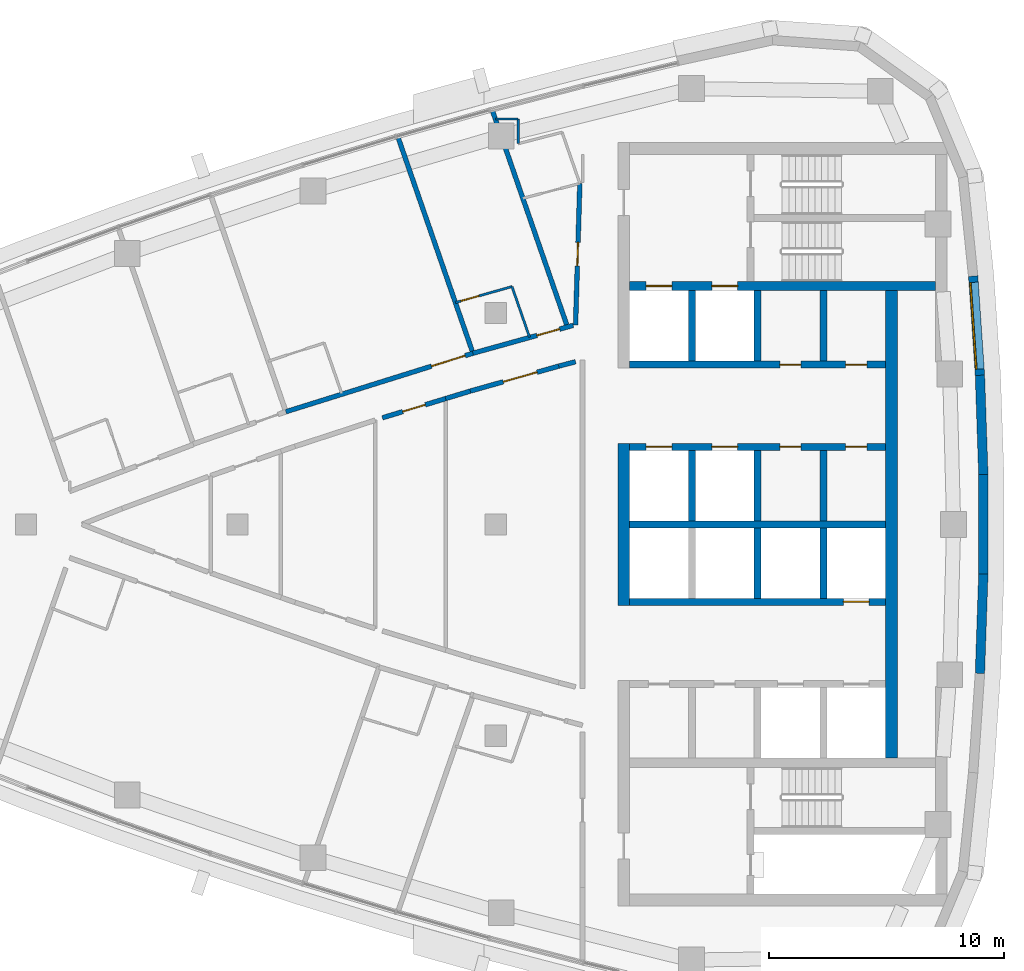
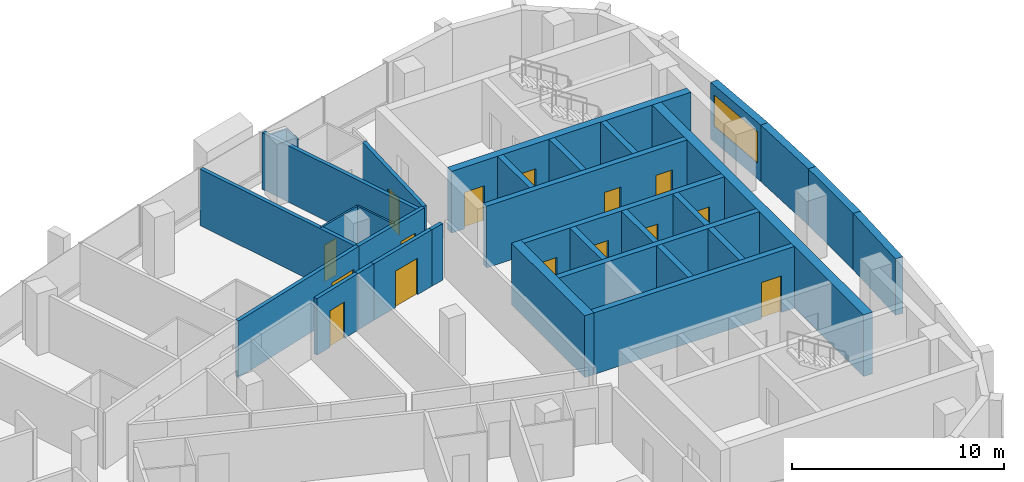
# One storey, part 9 of 14: 32 walls, 15 doors, 1 window, 16 openings.
"""IFC4 building model written with IfcOpenShell, lengths in metres."""

from ifc_helpers import new_model, si_unit, direction, frame, frame_2d, origin, place, context, subcontext, project, spatial, polyline, rectangle, outline, extrude, material, layer, layer_set, type_object, element, fill, save


model = new_model("IFC4")

# Units and contexts
model_context = context("Model", 3, precision=1e-05, world=origin(), true_north=direction((0.0, 1.0)))
body_context = subcontext(model_context, "Body", "Model", "MODEL_VIEW")
ifc_project = project(units=[si_unit("LENGTHUNIT", "METRE"), si_unit("AREAUNIT", "SQUARE_METRE"), si_unit("VOLUMEUNIT", "CUBIC_METRE"), si_unit("PLANEANGLEUNIT", "RADIAN"), si_unit("MASSUNIT", "GRAM", prefix="KILO")], contexts=[model_context])

# Site, building, storey
site_placement = place(None, origin())
site = spatial("IfcSite", under=ifc_project, at=site_placement, CompositionType="ELEMENT")
building_placement = place(site_placement, origin())
building = spatial("IfcBuilding", under=site, at=building_placement, Name="Ostrand Prow Hotel Tower", CompositionType="ELEMENT")
storey_placement = place(building_placement, frame((0.0, 0.0, 296.300048828125)))
storey = spatial("IfcBuildingStorey", under=building, at=storey_placement, Name="L75", CompositionType="ELEMENT", Elevation=296.300048828125)

# Wall
ifc_material_1 = material(Name="Concrete C50/60", Category="concrete")
ifc_layer_1 = layer(ifc_material_1, 0.300048828125)
ifc_layer_set_1 = layer_set([ifc_layer_1], Name="Concrete C50/60")
wall_type_1 = type_object("IfcWallType", Name="Core wall 300 C50/60", PredefinedType="SHEAR", material=ifc_layer_set_1)
wall_1_placement = place(storey_placement, frame((50.699951171875, 0.0, 0.0), z_axis=(0.0, 0.0, 1.0), x_axis=(1.0, 0.0, 0.0)))
element("IfcWall", 1, at=wall_1_placement, inside=storey, type_object=wall_type_1, Name="Core wall PW-C", PredefinedType="SHEAR", context=body_context, shape_type="SweptSolid", body=[
    extrude(rectangle(XDim=10.900146484375, YDim=0.300048828125, at=frame_2d((5.4501953125, 0.0))), origin(), (0.0, 0.0, 1.0), 3.550048828125),
])

# Wall, openings, doors
wall_2_placement = place(storey_placement, frame((50.699951171875, 3.300048828125, 0.0), z_axis=(0.0, 0.0, 1.0), x_axis=(1.0, 0.0, 0.0)))
wall_2 = element("IfcWall", 2, at=wall_2_placement, inside=storey, type_object=wall_type_1, Name="Core wall PW-L1-N", PredefinedType="SHEAR", context=body_context, shape_type="SweptSolid", body=[
    extrude(rectangle(XDim=10.900146484375, YDim=0.300048828125, at=frame_2d((5.4501953125, 0.0))), origin(), (0.0, 0.0, 1.0), 3.550048828125),
])
opening_1_placement = place(wall_2_placement, frame((0.699951171875, 0.0, 0.0)))
opening_1 = element("IfcOpeningElement", 3, at=opening_1_placement, cuts=wall_2, Name="Opening LD", PredefinedType="OPENING", context=body_context, shape_type="SweptSolid", body=[
    extrude(rectangle(XDim=1.10009765625, YDim=2.10009765625, at=frame_2d((0.550048828125, 1.050048828125))), frame((0.0, 0.159912109375, 0.0), z_axis=(0.0, -1.0, 0.0), x_axis=(1.0, 0.0, 0.0)), (0.0, 0.0, 1.0), 0.320068359375),
])
opening_2_placement = place(wall_2_placement, frame((3.5, 0.0, 0.0)))
opening_2 = element("IfcOpeningElement", 4, at=opening_2_placement, cuts=wall_2, Name="Opening LD", PredefinedType="OPENING", context=body_context, shape_type="SweptSolid", body=[
    extrude(rectangle(XDim=1.10009765625, YDim=2.10009765625, at=frame_2d((0.550048828125, 1.050048828125))), frame((0.0, 0.159912109375, 0.0), z_axis=(0.0, -1.0, 0.0), x_axis=(1.0, 0.0, 0.0)), (0.0, 0.0, 1.0), 0.320068359375),
])
opening_3_placement = place(wall_2_placement, frame((6.39990234375, 0.0, 0.0)))
opening_3 = element("IfcOpeningElement", 5, at=opening_3_placement, cuts=wall_2, Name="Opening FD2", PredefinedType="OPENING", context=body_context, shape_type="SweptSolid", body=[
    extrude(rectangle(XDim=0.89990234375, YDim=2.10009765625, at=frame_2d((0.449951171875, 1.050048828125))), frame((0.0, 0.159912109375, 0.0), z_axis=(0.0, -1.0, 0.0), x_axis=(1.0, 0.0, 0.0)), (0.0, 0.0, 1.0), 0.320068359375),
])
opening_4_placement = place(wall_2_placement, frame((9.199951171875, 0.0, 0.0)))
opening_4 = element("IfcOpeningElement", 6, at=opening_4_placement, cuts=wall_2, Name="Opening FD2", PredefinedType="OPENING", context=body_context, shape_type="SweptSolid", body=[
    extrude(rectangle(XDim=0.89990234375, YDim=2.10009765625, at=frame_2d((0.449951171875, 1.050048828125))), frame((0.0, 0.159912109375, 0.0), z_axis=(0.0, -1.0, 0.0), x_axis=(1.0, 0.0, 0.0)), (0.0, 0.0, 1.0), 0.320068359375),
])
ifc_material_2 = material(Name="Steel fire door", Category="steel")
door_type_1 = type_object("IfcDoorType", Name="Fire door 900 EI120", OperationType="SINGLE_SWING_LEFT", PredefinedType="DOOR", material=ifc_material_2)
door_1_placement = place(opening_3_placement, origin())
door_1 = element("IfcDoor", 7, at=door_1_placement, inside=storey, type_object=door_type_1, Name="DOOR", OperationType="SINGLE_SWING_LEFT", OverallHeight=2.10009765625, OverallWidth=0.89990234375, PredefinedType="DOOR", context=body_context, shape_type="SweptSolid", body=[
    extrude(rectangle(XDim=0.89990234375, YDim=2.10009765625, at=frame_2d((0.449951171875, 1.050048828125))), frame((0.0, 0.02490234375, 0.0), z_axis=(0.0, -1.0, 0.0), x_axis=(1.0, 0.0, 0.0)), (0.0, 0.0, 1.0), 0.050048828125),
])
fill(opening_3, door_1)
door_2_placement = place(opening_4_placement, origin())
door_2 = element("IfcDoor", 8, at=door_2_placement, inside=storey, type_object=door_type_1, Name="DOOR", OperationType="SINGLE_SWING_LEFT", OverallHeight=2.10009765625, OverallWidth=0.89990234375, PredefinedType="DOOR", context=body_context, shape_type="SweptSolid", body=[
    extrude(rectangle(XDim=0.89990234375, YDim=2.10009765625, at=frame_2d((0.449951171875, 1.050048828125))), frame((0.0, 0.02490234375, 0.0), z_axis=(0.0, -1.0, 0.0), x_axis=(1.0, 0.0, 0.0)), (0.0, 0.0, 1.0), 0.050048828125),
])
fill(opening_4, door_2)
ifc_material_3 = material(Name="Stainless steel door", Category="steel")
door_type_2 = type_object("IfcDoorType", Name="Lift landing door 1100", OperationType="DOUBLE_DOOR_SLIDING", PredefinedType="DOOR", material=ifc_material_3)
door_3_placement = place(opening_1_placement, origin())
door_3 = element("IfcDoor", 9, at=door_3_placement, inside=storey, type_object=door_type_2, Name="LIFT LANDING DOOR", OperationType="DOUBLE_DOOR_SLIDING", OverallHeight=2.10009765625, OverallWidth=1.10009765625, PredefinedType="DOOR", context=body_context, shape_type="SweptSolid", body=[
    extrude(rectangle(XDim=1.10009765625, YDim=2.10009765625, at=frame_2d((0.550048828125, 1.050048828125))), frame((0.0, 0.02490234375, 0.0), z_axis=(0.0, -1.0, 0.0), x_axis=(1.0, 0.0, 0.0)), (0.0, 0.0, 1.0), 0.050048828125),
])
fill(opening_1, door_3)
door_4_placement = place(opening_2_placement, origin())
door_4 = element("IfcDoor", 10, at=door_4_placement, inside=storey, type_object=door_type_2, Name="LIFT LANDING DOOR", OperationType="DOUBLE_DOOR_SLIDING", OverallHeight=2.10009765625, OverallWidth=1.10009765625, PredefinedType="DOOR", context=body_context, shape_type="SweptSolid", body=[
    extrude(rectangle(XDim=1.10009765625, YDim=2.10009765625, at=frame_2d((0.550048828125, 1.050048828125))), frame((0.0, 0.02490234375, 0.0), z_axis=(0.0, -1.0, 0.0), x_axis=(1.0, 0.0, 0.0)), (0.0, 0.0, 1.0), 0.050048828125),
])
fill(opening_2, door_4)

wall_3_placement = place(storey_placement, frame((50.699951171875, 6.800048828125, 0.0), z_axis=(0.0, 0.0, 1.0), x_axis=(1.0, 0.0, 0.0)))
wall_3 = element("IfcWall", 11, at=wall_3_placement, inside=storey, type_object=wall_type_1, Name="Core wall PW-L2-N", PredefinedType="SHEAR", context=body_context, shape_type="SweptSolid", body=[
    extrude(rectangle(XDim=10.900146484375, YDim=0.300048828125, at=frame_2d((5.4501953125, 0.0))), origin(), (0.0, 0.0, 1.0), 3.550048828125),
])
opening_5_placement = place(wall_3_placement, frame((6.39990234375, 0.0, 0.0)))
opening_5 = element("IfcOpeningElement", 12, at=opening_5_placement, cuts=wall_3, Name="Opening FD2", PredefinedType="OPENING", context=body_context, shape_type="SweptSolid", body=[
    extrude(rectangle(XDim=0.89990234375, YDim=2.10009765625, at=frame_2d((0.449951171875, 1.050048828125))), frame((0.0, 0.159912109375, 0.0), z_axis=(0.0, -1.0, 0.0), x_axis=(1.0, 0.0, 0.0)), (0.0, 0.0, 1.0), 0.320068359375),
])
opening_6_placement = place(wall_3_placement, frame((9.199951171875, 0.0, 0.0)))
opening_6 = element("IfcOpeningElement", 13, at=opening_6_placement, cuts=wall_3, Name="Opening FD2", PredefinedType="OPENING", context=body_context, shape_type="SweptSolid", body=[
    extrude(rectangle(XDim=0.89990234375, YDim=2.10009765625, at=frame_2d((0.449951171875, 1.050048828125))), frame((0.0, 0.159912109375, 0.0), z_axis=(0.0, -1.0, 0.0), x_axis=(1.0, 0.0, 0.0)), (0.0, 0.0, 1.0), 0.320068359375),
])
door_5_placement = place(opening_5_placement, origin())
door_5 = element("IfcDoor", 14, at=door_5_placement, inside=storey, type_object=door_type_1, Name="DOOR", OperationType="SINGLE_SWING_LEFT", OverallHeight=2.10009765625, OverallWidth=0.89990234375, PredefinedType="DOOR", context=body_context, shape_type="SweptSolid", body=[
    extrude(rectangle(XDim=0.89990234375, YDim=2.10009765625, at=frame_2d((0.449951171875, 1.050048828125))), frame((0.0, 0.02490234375, 0.0), z_axis=(0.0, -1.0, 0.0), x_axis=(1.0, 0.0, 0.0)), (0.0, 0.0, 1.0), 0.050048828125),
])
fill(opening_5, door_5)
door_6_placement = place(opening_6_placement, origin())
door_6 = element("IfcDoor", 15, at=door_6_placement, inside=storey, type_object=door_type_1, Name="DOOR", OperationType="SINGLE_SWING_LEFT", OverallHeight=2.10009765625, OverallWidth=0.89990234375, PredefinedType="DOOR", context=body_context, shape_type="SweptSolid", body=[
    extrude(rectangle(XDim=0.89990234375, YDim=2.10009765625, at=frame_2d((0.449951171875, 1.050048828125))), frame((0.0, 0.02490234375, 0.0), z_axis=(0.0, -1.0, 0.0), x_axis=(1.0, 0.0, 0.0)), (0.0, 0.0, 1.0), 0.050048828125),
])
fill(opening_6, door_6)

# Walls
for number, where, z_axis, x_axis, name in (
    (16, (53.35009765625, 0.14990234375, 0.0), (0.0, 0.0, 1.0), (0.0, 1.0, 0.0), "Core wall PW-R1-NB"),
    (17, (53.35009765625, 6.949951171875, 0.0), (0.0, 0.0, 1.0), (0.0, 1.0, 0.0), "Core wall PW-R1-NA"),
    (18, (56.14990234375, 0.14990234375, 0.0), (0.0, 0.0, 1.0), (0.0, 1.0, 0.0), "Core wall PW-R2-NB"),
    (19, (56.14990234375, 6.949951171875, 0.0), (0.0, 0.0, 1.0), (0.0, 1.0, 0.0), "Core wall PW-R2-NA"),
    (20, (58.949951171875, 0.14990234375, 0.0), (0.0, 0.0, 1.0), (0.0, 1.0, 0.0), "Core wall PW-R3-NB"),
    (21, (58.949951171875, 6.949951171875, 0.0), (0.0, 0.0, 1.0), (0.0, 1.0, 0.0), "Core wall PW-R3-NA"),
):
    element("IfcWall", number, at=place(storey_placement, frame(where, z_axis=z_axis, x_axis=x_axis)), inside=storey, type_object=wall_type_1, Name=name, PredefinedType="SHEAR", context=body_context, shape_type="SweptSolid", body=[
        extrude(rectangle(XDim=3.0, YDim=0.300048828125, at=frame_2d((1.5, 0.0))), origin(), (0.0, 0.0, 1.0), 3.550048828125),
    ])

# Wall, opening, door
wall_4_placement = place(storey_placement, frame((50.699951171875, -3.300048828125, 0.0), z_axis=(0.0, 0.0, 1.0), x_axis=(1.0, 0.0, 0.0)))
wall_4 = element("IfcWall", 22, at=wall_4_placement, inside=storey, type_object=wall_type_1, Name="Core wall PW-L1-S", PredefinedType="SHEAR", context=body_context, shape_type="SweptSolid", body=[
    extrude(rectangle(XDim=10.900146484375, YDim=0.300048828125, at=frame_2d((5.4501953125, 0.0))), origin(), (0.0, 0.0, 1.0), 3.550048828125),
])
opening_7_placement = place(wall_4_placement, frame((9.10009765625, 0.0, 0.0)))
opening_7 = element("IfcOpeningElement", 23, at=opening_7_placement, cuts=wall_4, Name="Opening LD", PredefinedType="OPENING", context=body_context, shape_type="SweptSolid", body=[
    extrude(rectangle(XDim=1.10009765625, YDim=2.10009765625, at=frame_2d((0.550048828125, 1.050048828125))), frame((0.0, 0.159912109375, 0.0), z_axis=(0.0, -1.0, 0.0), x_axis=(1.0, 0.0, 0.0)), (0.0, 0.0, 1.0), 0.320068359375),
])
door_7_placement = place(opening_7_placement, origin())
door_7 = element("IfcDoor", 24, at=door_7_placement, inside=storey, type_object=door_type_2, Name="LIFT LANDING DOOR", OperationType="DOUBLE_DOOR_SLIDING", OverallHeight=2.10009765625, OverallWidth=1.10009765625, PredefinedType="DOOR", context=body_context, shape_type="SweptSolid", body=[
    extrude(rectangle(XDim=1.10009765625, YDim=2.10009765625, at=frame_2d((0.550048828125, 1.050048828125))), frame((0.0, 0.02490234375, 0.0), z_axis=(0.0, -1.0, 0.0), x_axis=(1.0, 0.0, 0.0)), (0.0, 0.0, 1.0), 0.050048828125),
])
fill(opening_7, door_7)

# Walls
for number, where, z_axis, x_axis, name in (
    (25, (56.14990234375, -3.14990234375, 0.0), (0.0, 0.0, 1.0), (0.0, 1.0, 0.0), "Core wall PW-R2-SB"),
    (26, (58.949951171875, -3.14990234375, 0.0), (0.0, 0.0, 1.0), (0.0, 1.0, 0.0), "Core wall PW-R3-SB"),
):
    element("IfcWall", number, at=place(storey_placement, frame(where, z_axis=z_axis, x_axis=x_axis)), inside=storey, type_object=wall_type_1, Name=name, PredefinedType="SHEAR", context=body_context, shape_type="SweptSolid", body=[
        extrude(rectangle(XDim=3.0, YDim=0.300048828125, at=frame_2d((1.5, 0.0))), origin(), (0.0, 0.0, 1.0), 3.550048828125),
    ])

# Wall, openings, doors
ifc_material_4 = material(Name="Concrete C50/60", Category="concrete")
ifc_layer_2 = layer(ifc_material_4, 0.39990234375)
ifc_layer_set_2 = layer_set([ifc_layer_2], Name="Concrete C50/60")
wall_type_2 = type_object("IfcWallType", Name="Core wall 400 C50/60", PredefinedType="SHEAR", material=ifc_layer_set_2)
wall_5_placement = place(storey_placement, frame((50.699951171875, 10.14990234375, 0.0), z_axis=(0.0, 0.0, 1.0), x_axis=(1.0, 0.0, 0.0)))
wall_5 = element("IfcWall", 27, at=wall_5_placement, inside=storey, type_object=wall_type_2, Name="Core wall PW-BN", PredefinedType="SHEAR", context=body_context, shape_type="SweptSolid", body=[
    extrude(rectangle(XDim=13.02001953125, YDim=0.39990234375, at=frame_2d((6.510009765625, 0.0))), origin(), (0.0, 0.0, 1.0), 3.550048828125),
])
opening_8_placement = place(wall_5_placement, frame((0.699951171875, 0.0, 0.0)))
opening_8 = element("IfcOpeningElement", 28, at=opening_8_placement, cuts=wall_5, Name="Opening LD", PredefinedType="OPENING", context=body_context, shape_type="SweptSolid", body=[
    extrude(rectangle(XDim=1.10009765625, YDim=2.10009765625, at=frame_2d((0.550048828125, 1.050048828125))), frame((0.0, 0.2099609375, 0.0), z_axis=(0.0, -1.0, 0.0), x_axis=(1.0, 0.0, 0.0)), (0.0, 0.0, 1.0), 0.419921875),
])
opening_9_placement = place(wall_5_placement, frame((3.5, 0.0, 0.0)))
opening_9 = element("IfcOpeningElement", 29, at=opening_9_placement, cuts=wall_5, Name="Opening LD", PredefinedType="OPENING", context=body_context, shape_type="SweptSolid", body=[
    extrude(rectangle(XDim=1.10009765625, YDim=2.10009765625, at=frame_2d((0.550048828125, 1.050048828125))), frame((0.0, 0.2099609375, 0.0), z_axis=(0.0, -1.0, 0.0), x_axis=(1.0, 0.0, 0.0)), (0.0, 0.0, 1.0), 0.419921875),
])
door_8_placement = place(opening_8_placement, origin())
door_8 = element("IfcDoor", 30, at=door_8_placement, inside=storey, type_object=door_type_2, Name="LIFT LANDING DOOR", OperationType="DOUBLE_DOOR_SLIDING", OverallHeight=2.10009765625, OverallWidth=1.10009765625, PredefinedType="DOOR", context=body_context, shape_type="SweptSolid", body=[
    extrude(rectangle(XDim=1.10009765625, YDim=2.10009765625, at=frame_2d((0.550048828125, 1.050048828125))), frame((0.0, 0.02490234375, 0.0), z_axis=(0.0, -1.0, 0.0), x_axis=(1.0, 0.0, 0.0)), (0.0, 0.0, 1.0), 0.050048828125),
])
fill(opening_8, door_8)
door_9_placement = place(opening_9_placement, origin())
door_9 = element("IfcDoor", 31, at=door_9_placement, inside=storey, type_object=door_type_2, Name="LIFT LANDING DOOR", OperationType="DOUBLE_DOOR_SLIDING", OverallHeight=2.10009765625, OverallWidth=1.10009765625, PredefinedType="DOOR", context=body_context, shape_type="SweptSolid", body=[
    extrude(rectangle(XDim=1.10009765625, YDim=2.10009765625, at=frame_2d((0.550048828125, 1.050048828125))), frame((0.0, 0.02490234375, 0.0), z_axis=(0.0, -1.0, 0.0), x_axis=(1.0, 0.0, 0.0)), (0.0, 0.0, 1.0), 0.050048828125),
])
fill(opening_9, door_9)

# Walls
ifc_material_5 = material(Name="Concrete C50/60", Category="concrete")
ifc_layer_3 = layer(ifc_material_5, 0.5)
ifc_layer_set_3 = layer_set([ifc_layer_3], Name="Concrete C50/60")
wall_type_3 = type_object("IfcWallType", Name="Core wall 500 C50/60", PredefinedType="SHEAR", material=ifc_layer_set_3)
wall_6_placement = place(storey_placement, frame((50.449951171875, -3.449951171875, 0.0), z_axis=(0.0, 0.0, 1.0), x_axis=(0.0, 1.0, 0.0)))
element("IfcWall", 32, at=wall_6_placement, inside=storey, type_object=wall_type_3, Name="Core wall CW-W-C", PredefinedType="SHEAR", context=body_context, shape_type="SweptSolid", body=[
    extrude(rectangle(XDim=6.89990234375, YDim=0.5, at=frame_2d((3.449951171875, 0.0))), origin(), (0.0, 0.0, 1.0), 3.550048828125),
])
wall_7_placement = place(storey_placement, frame((61.85009765625, -9.949951171875, 0.0), z_axis=(0.0, 0.0, 1.0), x_axis=(0.0, 1.0, 0.0)))
element("IfcWall", 33, at=wall_7_placement, inside=storey, type_object=wall_type_3, Name="Core wall CW-E-C", PredefinedType="SHEAR", context=body_context, shape_type="SweptSolid", body=[
    extrude(rectangle(XDim=19.89990234375, YDim=0.5, at=frame_2d((9.949951171875, 0.0))), origin(), (0.0, 0.0, 1.0), 3.550048828125),
])

# Wall, opening, door
ifc_material_6 = material(Name="Plasterboard partition")
ifc_layer_4 = layer(ifc_material_6, 0.10009765625)
ifc_layer_set_4 = layer_set([ifc_layer_4], Name="Plasterboard partition")
wall_type_4 = type_object("IfcWallType", Name="Partition 100 bathroom wall", PredefinedType="PARTITIONING", material=ifc_layer_set_4)
wall_8_placement = place(storey_placement, frame((43.28271484375, 9.443603515625, 0.0), z_axis=(0.0, 0.0, 1.0), x_axis=(0.962409173596, 0.271603723424, 0.0)))
wall_8 = element("IfcWall", 34, at=wall_8_placement, inside=storey, type_object=wall_type_4, Name="BATHROOM WALL", PredefinedType="PARTITIONING", context=body_context, shape_type="SweptSolid", body=[
    extrude(rectangle(XDim=2.50439453125, YDim=0.10009765625, at=frame_2d((1.252197265625, 0.0))), origin(), (0.0, 0.0, 1.0), 3.25),
])
opening_10_placement = place(wall_8_placement, frame((0.25, 0.0, 0.0)))
opening_10 = element("IfcOpeningElement", 35, at=opening_10_placement, cuts=wall_8, Name="Opening D2", PredefinedType="OPENING", context=body_context, shape_type="SweptSolid", body=[
    extrude(rectangle(XDim=0.800048828125, YDim=2.10009765625, at=frame_2d((0.39990234375, 1.050048828125))), frame((0.0, 0.06005859375, 0.0), z_axis=(0.0, -1.0, 0.0), x_axis=(1.0, 0.0, 0.0)), (0.0, 0.0, 1.0), 0.1201171875),
])
ifc_material_7 = material(Name="Timber door leaf", Category="wood")
door_type_3 = type_object("IfcDoorType", Name="Bathroom door 800", OperationType="SINGLE_SWING_LEFT", PredefinedType="DOOR", material=ifc_material_7)
door_10_placement = place(opening_10_placement, origin())
door_10 = element("IfcDoor", 36, at=door_10_placement, inside=storey, type_object=door_type_3, Name="DOOR", OperationType="SINGLE_SWING_LEFT", OverallHeight=2.10009765625, OverallWidth=0.800048828125, PredefinedType="DOOR", context=body_context, shape_type="SweptSolid", body=[
    extrude(rectangle(XDim=0.800048828125, YDim=2.10009765625, at=frame_2d((0.39990234375, 1.050048828125))), frame((0.0, 0.02490234375, 0.0), z_axis=(0.0, -1.0, 0.0), x_axis=(1.0, 0.0, 0.0)), (0.0, 0.0, 1.0), 0.050048828125),
])
fill(opening_10, door_10)

# Walls
wall_9_placement = place(storey_placement, frame((45.69287109375, 10.123779296875, 0.0), z_axis=(0.0, 0.0, 1.0), x_axis=(0.327764902685, -0.944759317799, 0.0)))
element("IfcWall", 37, at=wall_9_placement, inside=storey, type_object=wall_type_4, Name="BATHROOM WALL", PredefinedType="PARTITIONING", context=body_context, shape_type="SweptSolid", body=[
    extrude(rectangle(XDim=2.28076171875, YDim=0.10009765625, at=frame_2d((1.140380859375, 0.0))), origin(), (0.0, 0.0, 1.0), 3.25),
])
wall_10_placement = place(storey_placement, frame((44.98486328125, 17.258544921875, 0.0), z_axis=(0.0, 0.0, 1.0), x_axis=(1.0, 0.0, 0.0)))
element("IfcWall", 38, at=wall_10_placement, inside=storey, type_object=wall_type_4, Name="BATHROOM WALL", PredefinedType="PARTITIONING", context=body_context, shape_type="SweptSolid", body=[
    extrude(rectangle(XDim=0.9697265625, YDim=0.10009765625, at=frame_2d((0.48486328125, 0.0))), origin(), (0.0, 0.0, 1.0), 3.25),
])
wall_11_placement = place(storey_placement, frame((45.95458984375, 17.258544921875, 0.0), z_axis=(0.0, 0.0, 1.0), x_axis=(0.0, -1.0, 0.0)))
element("IfcWall", 39, at=wall_11_placement, inside=storey, type_object=wall_type_4, Name="BATHROOM WALL", PredefinedType="PARTITIONING", context=body_context, shape_type="SweptSolid", body=[
    extrude(rectangle(XDim=1.051025390625, YDim=0.10009765625, at=frame_2d((0.525390625, 0.0))), origin(), (0.0, 0.0, 1.0), 3.25),
])

# Wall, opening, door
ifc_material_8 = material(Name="Plasterboard partition")
ifc_layer_5 = layer(ifc_material_8, 0.199951171875)
ifc_layer_set_5 = layer_set([ifc_layer_5], Name="Plasterboard partition")
wall_type_5 = type_object("IfcWallType", Name="Partition 200 corridor wall", PredefinedType="PARTITIONING", material=ifc_layer_set_5)
wall_12_placement = place(storey_placement, frame((44.03125, 7.285888671875, 0.0), z_axis=(0.0, 0.0, 1.0), x_axis=(-0.95441177989, -0.29849313963, 0.0)))
wall_12 = element("IfcWall", 40, at=wall_12_placement, inside=storey, type_object=wall_type_5, Name="CORRIDOR WALL", PredefinedType="PARTITIONING", context=body_context, shape_type="SweptSolid", body=[
    extrude(rectangle(XDim=8.34765625, YDim=0.199951171875, at=frame_2d((4.173828125, 0.0))), origin(), (0.0, 0.0, 1.0), 3.25),
])
opening_11_placement = place(wall_12_placement, frame((0.35009765625, 0.0, 0.0)))
opening_11 = element("IfcOpeningElement", 41, at=opening_11_placement, cuts=wall_12, Name="Opening D15", PredefinedType="OPENING", context=body_context, shape_type="SweptSolid", body=[
    extrude(rectangle(XDim=1.5, YDim=2.10009765625, at=frame_2d((0.75, 1.050048828125))), frame((0.0, 0.10986328125, 0.0), z_axis=(0.0, -1.0, 0.0), x_axis=(1.0, 0.0, 0.0)), (0.0, 0.0, 1.0), 0.219970703125),
])
ifc_material_9 = material(Name="Timber door leaf", Category="wood")
door_type_4 = type_object("IfcDoorType", Name="Double door 1500", OperationType="DOUBLE_DOOR_SINGLE_SWING", PredefinedType="DOOR", material=ifc_material_9)
door_11_placement = place(opening_11_placement, origin())
door_11 = element("IfcDoor", 42, at=door_11_placement, inside=storey, type_object=door_type_4, Name="DOOR", OperationType="DOUBLE_DOOR_SINGLE_SWING", OverallHeight=2.10009765625, OverallWidth=1.5, PredefinedType="DOOR", context=body_context, shape_type="SweptSolid", body=[
    extrude(rectangle(XDim=1.5, YDim=2.10009765625, at=frame_2d((0.75, 1.050048828125))), frame((0.0, 0.02490234375, 0.0), z_axis=(0.0, -1.0, 0.0), x_axis=(1.0, 0.0, 0.0)), (0.0, 0.0, 1.0), 0.050048828125),
])
fill(opening_11, door_11)

wall_13_placement = place(storey_placement, frame((48.29931640625, 8.472900390625, 0.0), z_axis=(0.0, 0.0, 1.0), x_axis=(-0.96343417102, -0.267945140115, 0.0)))
wall_13 = element("IfcWall", 43, at=wall_13_placement, inside=storey, type_object=wall_type_5, Name="CORRIDOR WALL", PredefinedType="PARTITIONING", context=body_context, shape_type="SweptSolid", body=[
    extrude(rectangle(XDim=4.43017578125, YDim=0.199951171875, at=frame_2d((2.215087890625, 0.0))), origin(), (0.0, 0.0, 1.0), 3.25),
])
opening_12_placement = place(wall_13_placement, frame((0.60302734375, 0.0, 0.0)))
opening_12 = element("IfcOpeningElement", 44, at=opening_12_placement, cuts=wall_13, Name="Opening D1", PredefinedType="OPENING", context=body_context, shape_type="SweptSolid", body=[
    extrude(rectangle(XDim=1.0, YDim=2.10009765625, at=frame_2d((0.5, 1.050048828125))), frame((0.0, 0.10986328125, 0.0), z_axis=(0.0, -1.0, 0.0), x_axis=(1.0, 0.0, 0.0)), (0.0, 0.0, 1.0), 0.219970703125),
])
ifc_material_10 = material(Name="Timber door leaf", Category="wood")
door_type_5 = type_object("IfcDoorType", Name="Guest room door 1000", OperationType="SINGLE_SWING_LEFT", PredefinedType="DOOR", material=ifc_material_10)
door_12_placement = place(opening_12_placement, origin())
door_12 = element("IfcDoor", 45, at=door_12_placement, inside=storey, type_object=door_type_5, Name="DOOR", OperationType="SINGLE_SWING_LEFT", OverallHeight=2.10009765625, OverallWidth=1.0, PredefinedType="DOOR", context=body_context, shape_type="SweptSolid", body=[
    extrude(rectangle(XDim=1.0, YDim=2.10009765625, at=frame_2d((0.5, 1.050048828125))), frame((0.0, 0.02490234375, 0.0), z_axis=(0.0, -1.0, 0.0), x_axis=(1.0, 0.0, 0.0)), (0.0, 0.0, 1.0), 0.050048828125),
])
fill(opening_12, door_12)

wall_14_placement = place(storey_placement, frame((40.1748046875, 4.5361328125, 0.0), z_axis=(0.0, 0.0, 1.0), x_axis=(0.956742178936, 0.290937111838, 0.0)))
wall_14 = element("IfcWall", 46, at=wall_14_placement, inside=storey, type_object=wall_type_5, Name="CORRIDOR WALL", PredefinedType="PARTITIONING", context=body_context, shape_type="SweptSolid", body=[
    extrude(rectangle(XDim=2.812744140625, YDim=0.199951171875, at=frame_2d((1.40625, 0.0))), origin(), (0.0, 0.0, 1.0), 3.25),
])
opening_13_placement = place(wall_14_placement, frame((0.906494140625, 0.0, 0.0)))
opening_13 = element("IfcOpeningElement", 47, at=opening_13_placement, cuts=wall_14, Name="Opening D1R", PredefinedType="OPENING", context=body_context, shape_type="SweptSolid", body=[
    extrude(rectangle(XDim=1.0, YDim=2.10009765625, at=frame_2d((0.5, 1.050048828125))), frame((0.0, 0.10986328125, 0.0), z_axis=(0.0, -1.0, 0.0), x_axis=(1.0, 0.0, 0.0)), (0.0, 0.0, 1.0), 0.219970703125),
])
ifc_material_11 = material(Name="Timber door leaf", Category="wood")
door_type_6 = type_object("IfcDoorType", Name="Guest room door 1000 right", OperationType="SINGLE_SWING_RIGHT", PredefinedType="DOOR", material=ifc_material_11)
door_13_placement = place(opening_13_placement, origin())
door_13 = element("IfcDoor", 48, at=door_13_placement, inside=storey, type_object=door_type_6, Name="DOOR", OperationType="SINGLE_SWING_RIGHT", OverallHeight=2.10009765625, OverallWidth=1.0, PredefinedType="DOOR", context=body_context, shape_type="SweptSolid", body=[
    extrude(rectangle(XDim=1.0, YDim=2.10009765625, at=frame_2d((0.5, 1.050048828125))), frame((0.0, 0.02490234375, 0.0), z_axis=(0.0, -1.0, 0.0), x_axis=(1.0, 0.0, 0.0)), (0.0, 0.0, 1.0), 0.050048828125),
])
fill(opening_13, door_13)

wall_15_placement = place(storey_placement, frame((43.91845703125, 5.6748046875, 0.0), z_axis=(0.0, 0.0, 1.0), x_axis=(0.962411212211, 0.271596499628, 0.0)))
wall_15 = element("IfcWall", 49, at=wall_15_placement, inside=storey, type_object=wall_type_5, Name="CORRIDOR WALL", PredefinedType="PARTITIONING", context=body_context, shape_type="SweptSolid", body=[
    extrude(rectangle(XDim=3.912841796875, YDim=0.199951171875, at=frame_2d((1.95654296875, 0.0))), origin(), (0.0, 0.0, 1.0), 3.25),
])
opening_14_placement = place(wall_15_placement, frame((1.45654296875, 0.0, 0.0)))
opening_14 = element("IfcOpeningElement", 50, at=opening_14_placement, cuts=wall_15, Name="Opening D15", PredefinedType="OPENING", context=body_context, shape_type="SweptSolid", body=[
    extrude(rectangle(XDim=1.5, YDim=2.10009765625, at=frame_2d((0.75, 1.050048828125))), frame((0.0, 0.10986328125, 0.0), z_axis=(0.0, -1.0, 0.0), x_axis=(1.0, 0.0, 0.0)), (0.0, 0.0, 1.0), 0.219970703125),
])
door_14_placement = place(opening_14_placement, origin())
door_14 = element("IfcDoor", 51, at=door_14_placement, inside=storey, type_object=door_type_4, Name="DOOR", OperationType="DOUBLE_DOOR_SINGLE_SWING", OverallHeight=2.10009765625, OverallWidth=1.5, PredefinedType="DOOR", context=body_context, shape_type="SweptSolid", body=[
    extrude(rectangle(XDim=1.5, YDim=2.10009765625, at=frame_2d((0.75, 1.050048828125))), frame((0.0, 0.02490234375, 0.0), z_axis=(0.0, -1.0, 0.0), x_axis=(1.0, 0.0, 0.0)), (0.0, 0.0, 1.0), 0.050048828125),
])
fill(opening_14, door_14)

# Walls
wall_16_placement = place(storey_placement, frame((42.865966796875, 5.3544921875, 0.0), z_axis=(0.0, 0.0, 1.0), x_axis=(0.956676567943, 0.291152785233, 0.0)))
element("IfcWall", 52, at=wall_16_placement, inside=storey, type_object=wall_type_5, Name="CORRIDOR WALL", PredefinedType="PARTITIONING", context=body_context, shape_type="SweptSolid", body=[
    extrude(rectangle(XDim=1.10009765625, YDim=0.199951171875, at=frame_2d((0.550048828125, 0.0))), origin(), (0.0, 0.0, 1.0), 3.25),
])
wall_17_placement = place(storey_placement, frame((47.684326171875, 6.737548828125, 0.0), z_axis=(0.0, 0.0, 1.0), x_axis=(0.967585713416, 0.252542842294, 0.0)))
element("IfcWall", 53, at=wall_17_placement, inside=storey, type_object=wall_type_5, Name="CORRIDOR WALL", PredefinedType="PARTITIONING", context=body_context, shape_type="SweptSolid", body=[
    extrude(rectangle(XDim=0.739501953125, YDim=0.199951171875, at=frame_2d((0.36962890625, 0.0))), origin(), (0.0, 0.0, 1.0), 3.25),
])

# Wall, opening, door
wall_18_placement = place(storey_placement, frame((48.58251953125, 14.515625, 0.0), z_axis=(0.0, 0.0, 1.0), x_axis=(-0.030318578026, -0.999540286245, 0.0)))
wall_18 = element("IfcWall", 54, at=wall_18_placement, inside=storey, type_object=wall_type_5, Name="CORRIDOR WALL", PredefinedType="PARTITIONING", context=body_context, shape_type="SweptSolid", body=[
    extrude(rectangle(XDim=6.023193359375, YDim=0.199951171875, at=frame_2d((3.01171875, 0.0))), origin(), (0.0, 0.0, 1.0), 3.25),
])
opening_15_placement = place(wall_18_placement, frame((2.511962890625, 0.0, 0.0)))
opening_15 = element("IfcOpeningElement", 55, at=opening_15_placement, cuts=wall_18, Name="Opening D1", PredefinedType="OPENING", context=body_context, shape_type="SweptSolid", body=[
    extrude(rectangle(XDim=1.0, YDim=2.10009765625, at=frame_2d((0.5, 1.050048828125))), frame((0.0, 0.10986328125, 0.0), z_axis=(0.0, -1.0, 0.0), x_axis=(1.0, 0.0, 0.0)), (0.0, 0.0, 1.0), 0.219970703125),
])
door_15_placement = place(opening_15_placement, origin())
door_15 = element("IfcDoor", 56, at=door_15_placement, inside=storey, type_object=door_type_5, Name="DOOR", OperationType="SINGLE_SWING_LEFT", OverallHeight=2.10009765625, OverallWidth=1.0, PredefinedType="DOOR", context=body_context, shape_type="SweptSolid", body=[
    extrude(rectangle(XDim=1.0, YDim=2.10009765625, at=frame_2d((0.5, 1.050048828125))), frame((0.0, 0.02490234375, 0.0), z_axis=(0.0, -1.0, 0.0), x_axis=(1.0, 0.0, 0.0)), (0.0, 0.0, 1.0), 0.050048828125),
])
fill(opening_15, door_15)

# Walls
ifc_material_12 = material(Name="Plasterboard partition")
ifc_layer_6 = layer(ifc_material_12, 0.199951171875)
ifc_layer_set_6 = layer_set([ifc_layer_6], Name="Plasterboard partition")
wall_type_6 = type_object("IfcWallType", Name="Partition 200 key partition", PredefinedType="PARTITIONING", material=ifc_layer_set_6)
wall_19_placement = place(storey_placement, frame((44.037841796875, 7.266845703125, 0.0), z_axis=(0.0, 0.0, 1.0), x_axis=(-0.327714576096, 0.944776776077, 0.0)))
element("IfcWall", 57, at=wall_19_placement, inside=storey, type_object=wall_type_6, Name="KEY PARTITION", PredefinedType="PARTITIONING", context=body_context, shape_type="SweptSolid", body=[
    extrude(rectangle(XDim=9.716796875, YDim=0.199951171875, at=frame_2d((4.8583984375, 0.0))), origin(), (0.0, 0.0, 1.0), 3.25),
])
wall_20_placement = place(storey_placement, frame((48.02294921875, 8.5, 0.0), z_axis=(0.0, 0.0, 1.0), x_axis=(-0.327705598625, 0.944779890043, 0.0)))
element("IfcWall", 58, at=wall_20_placement, inside=storey, type_object=wall_type_6, Name="KEY PARTITION", PredefinedType="PARTITIONING", context=body_context, shape_type="SweptSolid", body=[
    extrude(rectangle(XDim=9.60986328125, YDim=0.199951171875, at=frame_2d((4.804931640625, 0.0))), origin(), (0.0, 0.0, 1.0), 3.25),
])
ifc_material_13 = material(Name="Precast concrete C40/50", Category="concrete")
ifc_layer_7 = layer(ifc_material_13, 0.39990234375)
ifc_layer_set_7 = layer_set([ifc_layer_7], Name="Precast concrete C40/50")
wall_type_7 = type_object("IfcWallType", Name="Stone-faced precast wall 400 mm", PredefinedType="NOTDEFINED", material=ifc_layer_set_7)
for number, where, z_axis, x_axis, name in (
    (59, (65.6201171875, -6.34765625, 0.0), (0.0, 0.0, 1.0), (0.034082898699, 0.999419009233, 0.0), "Stone-faced wall back 7"),
    (60, (65.764404296875, -2.11669921875, 0.0), (0.0, 0.0, 1.0), (0.0, 1.0, 0.0), "Stone-faced wall back 8"),
    (61, (65.764404296875, 2.11669921875, 0.0), (0.0, 0.0, 1.0), (-0.034082898699, 0.999419009233, 0.0), "Stone-faced wall back 9"),
):
    element("IfcWall", number, at=place(storey_placement, frame(where, z_axis=z_axis, x_axis=x_axis)), inside=storey, type_object=wall_type_7, Name=name, PredefinedType="NOTDEFINED", context=body_context, shape_type="SweptSolid", body=[
        extrude(outline(polyline([(-0.00341796875, -0.199951171875), (4.23681640625, -0.199951171875), (4.22998046875, 0.199951171875), (0.00341796875, 0.199951171875), (-0.00341796875, -0.199951171875)])), origin(), (0.0, 0.0, 1.0), 3.25),
    ])

# Wall, opening, window
wall_21_placement = place(storey_placement, frame((65.6201171875, 6.34765625, 0.0), z_axis=(0.0, 0.0, 1.0), x_axis=(-0.068279584479, 0.997666225921, 0.0)))
wall_21 = element("IfcWall", 62, at=wall_21_placement, inside=storey, type_object=wall_type_7, Name="Stone-faced wall back 10", PredefinedType="NOTDEFINED", context=body_context, shape_type="SweptSolid", body=[
    extrude(outline(polyline([(-0.00341796875, -0.199951171875), (4.23681640625, -0.199951171875), (4.22998046875, 0.199951171875), (0.00341796875, 0.199951171875), (-0.00341796875, -0.199951171875)])), origin(), (0.0, 0.0, 1.0), 3.25),
])
opening_16_placement = place(wall_21_placement, frame((0.2666015625, 0.0, 0.89990234375)))
opening_16 = element("IfcOpeningElement", 63, at=opening_16_placement, cuts=wall_21, Name="Opening WS3-37", PredefinedType="OPENING", context=body_context, shape_type="SweptSolid", body=[
    extrude(rectangle(XDim=3.699951171875, YDim=1.800048828125, at=frame_2d((1.85009765625, 0.89990234375))), frame((0.0, 0.2099609375, 0.0), z_axis=(0.0, -1.0, 0.0), x_axis=(1.0, 0.0, 0.0)), (0.0, 0.0, 1.0), 0.419921875),
])
ifc_material_14 = material(Name="Insulated glass in bronze frame", Category="glass")
window_type = type_object("IfcWindowType", Name="Strip window 3700x1800", PartitioningType="SINGLE_PANEL", PredefinedType="WINDOW", material=ifc_material_14)
window_placement = place(opening_16_placement, origin())
window = element("IfcWindow", 64, at=window_placement, inside=storey, type_object=window_type, Name="Window back 10.1", OverallHeight=1.800048828125, OverallWidth=3.699951171875, PartitioningType="SINGLE_PANEL", PredefinedType="WINDOW", context=body_context, shape_type="SweptSolid", body=[
    extrude(rectangle(XDim=3.699951171875, YDim=1.800048828125, at=frame_2d((1.85009765625, 0.89990234375))), frame((0.0, 0.169921875, 0.0), z_axis=(0.0, -1.0, 0.0), x_axis=(1.0, 0.0, 0.0)), (0.0, 0.0, 1.0), 0.06005859375),
])
fill(opening_16, window)

save(model, "model.ifc")
